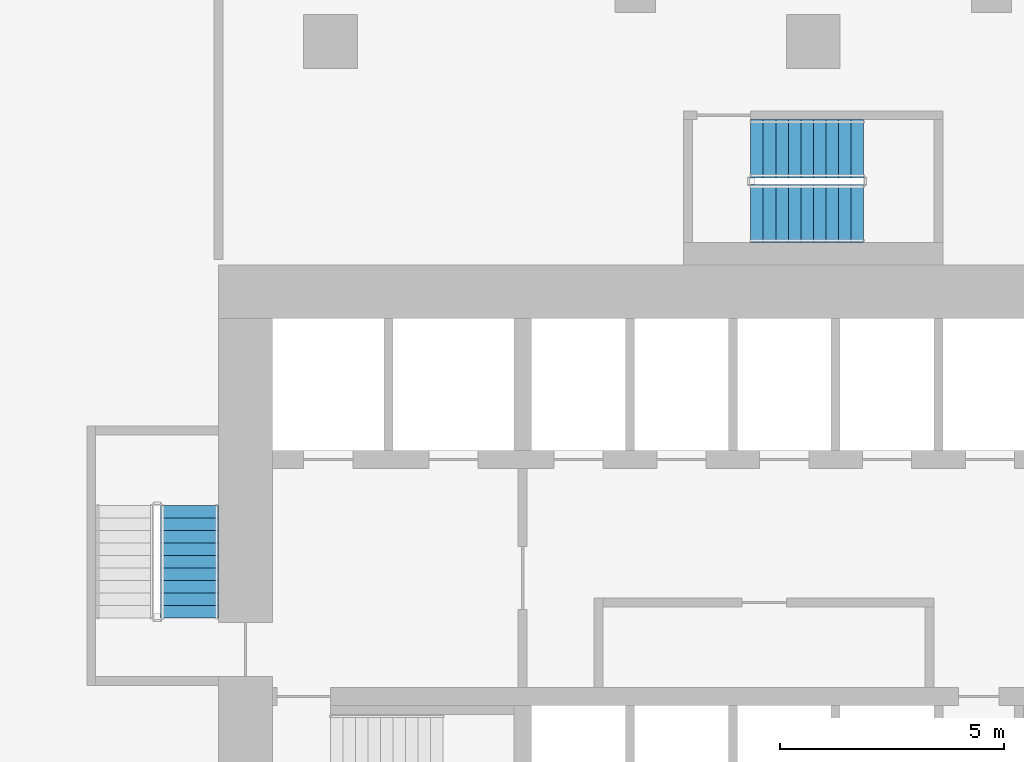
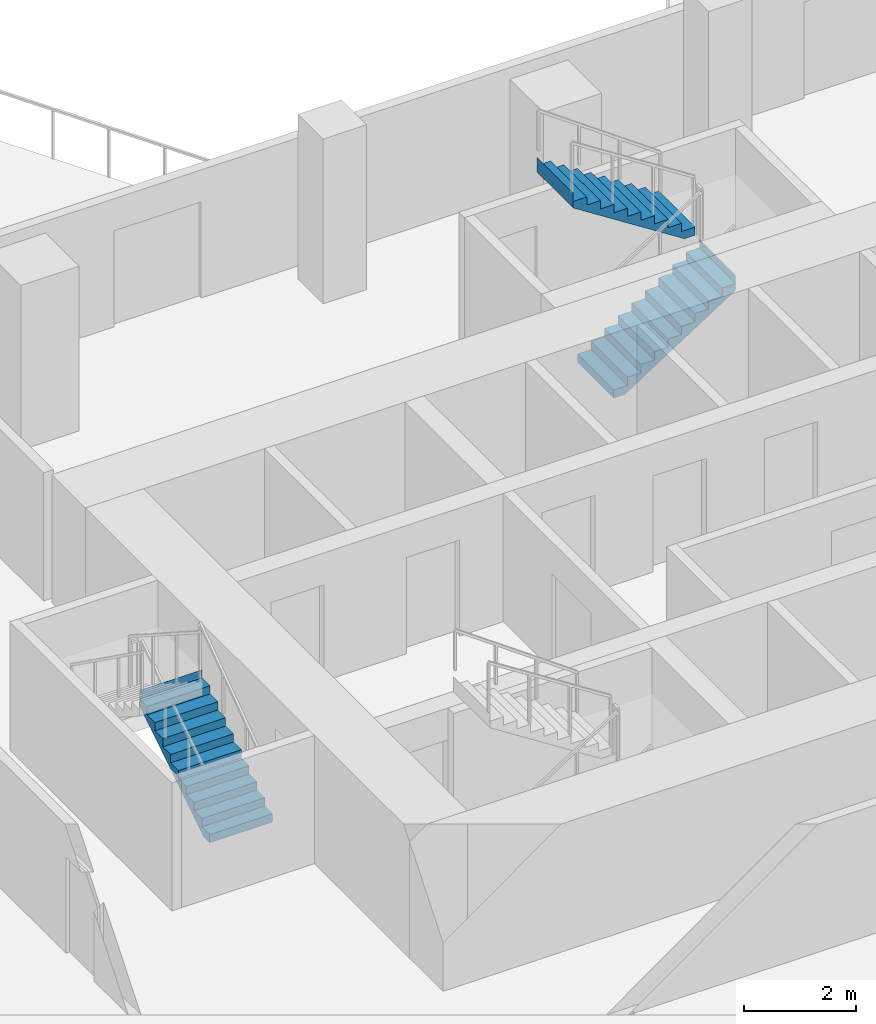
# One storey, part 16 of 21: 3 stair flights, 2 elements without a shape of their own.
"""IFC4 building model written with IfcOpenShell, lengths in metres."""

from ifc_helpers import new_model, si_unit, direction, frame, origin, place, context, subcontext, project, spatial, triangles, material, type_object, element, aggregate, save


model = new_model("IFC4")

# Units and contexts
model_context = context("Model", 3, precision=1e-05, world=origin(), true_north=direction((0.0, 1.0)))
body_context = subcontext(model_context, "Body", "Model", "MODEL_VIEW")
ifc_project = project(units=[si_unit("LENGTHUNIT", "METRE"), si_unit("AREAUNIT", "SQUARE_METRE"), si_unit("VOLUMEUNIT", "CUBIC_METRE"), si_unit("PLANEANGLEUNIT", "RADIAN"), si_unit("MASSUNIT", "GRAM", prefix="KILO")], contexts=[model_context])

# Site, building, storey
site_placement = place(None, origin())
site = spatial("IfcSite", under=ifc_project, at=site_placement, CompositionType="ELEMENT")
building_placement = place(site_placement, origin())
building = spatial("IfcBuilding", under=site, at=building_placement, Name="Beryl Residences", CompositionType="ELEMENT")
storey_placement = place(building_placement, frame((0.0, 0.0, 19.800048828125)))
storey = spatial("IfcBuildingStorey", under=building, at=storey_placement, Name="L05", CompositionType="ELEMENT", Elevation=19.800048828125)

# Stair, stair flight
ifc_material_1 = material(Name="Concrete C40/50", Category="concrete")
stair_type = type_object("IfcStairType", Name="ST1 protected exit stair, half-turn, 1300 mm flights", PredefinedType="HALF_TURN_STAIR", material=ifc_material_1)
stair_1_placement = place(storey_placement, origin())
stair_1 = element("IfcStair", 1, at=stair_1_placement, inside=storey, type_object=stair_type, Name="L05 PROTECTED EXIT STAIR ST-2", PredefinedType="HALF_TURN_STAIR")
ifc_material_2 = material(Name="Concrete C40/50", Category="concrete")
stair_flight_type = type_object("IfcStairFlightType", Name="SF1 stair flight 1300 mm", PredefinedType="STRAIGHT", material=ifc_material_2)
stair_flight_1_placement = place(storey_placement, frame((-13.949951171875, -12.89990234375, 0.0), z_axis=(0.0, 0.0, 1.0), x_axis=(0.0, 1.0, 0.0)))
stair_flight_1 = element("IfcStairFlight", 2, at=stair_flight_1_placement, type_object=stair_flight_type, Name="ST-2 flight 1", NumberOfRisers=10, NumberOfTreads=9, PredefinedType="STRAIGHT", RiserHeight=0.18, TreadLength=0.28, context=body_context, shape_type="Tessellation", body=[
    triangles([(0.0, -0.64990234375, 0.0), (0.0, -0.324951171875, 0.0), (0.0, 0.0, 0.0), (0.0, 0.324951171875, 0.0), (0.0, 0.64990234375, 0.0), (0.0, -0.64990234375, 0.179931640625), (0.0, -0.324951171875, 0.179931640625), (0.0, 0.0, 0.179931640625), (0.0, 0.324951171875, 0.179931640625), (0.0, 0.64990234375, 0.179931640625), (0.280029296875, -0.64990234375, 0.179931640625), (0.280029296875, -0.324951171875, 0.179931640625), (0.280029296875, 0.0, 0.179931640625), (0.280029296875, 0.324951171875, 0.179931640625), (0.280029296875, 0.64990234375, 0.179931640625), (0.280029296875, -0.64990234375, 0.360107421875), (0.280029296875, -0.324951171875, 0.360107421875), (0.280029296875, 0.0, 0.360107421875), (0.280029296875, 0.324951171875, 0.360107421875), (0.280029296875, 0.64990234375, 0.360107421875), (0.56005859375, -0.64990234375, 0.360107421875), (0.56005859375, -0.324951171875, 0.360107421875), (0.56005859375, 0.0, 0.360107421875), (0.56005859375, 0.324951171875, 0.360107421875), (0.56005859375, 0.64990234375, 0.360107421875), (0.56005859375, -0.64990234375, 0.5400390625), (0.56005859375, -0.324951171875, 0.5400390625), (0.56005859375, 0.0, 0.5400390625), (0.56005859375, 0.324951171875, 0.5400390625), (0.56005859375, 0.64990234375, 0.5400390625), (0.840087890625, -0.64990234375, 0.5400390625), (0.840087890625, -0.324951171875, 0.5400390625), (0.840087890625, 0.0, 0.5400390625), (0.840087890625, 0.324951171875, 0.5400390625), (0.840087890625, 0.64990234375, 0.5400390625), (0.840087890625, -0.64990234375, 0.719970703125), (0.840087890625, -0.324951171875, 0.719970703125), (0.840087890625, 0.0, 0.719970703125), (0.840087890625, 0.324951171875, 0.719970703125), (0.840087890625, 0.64990234375, 0.719970703125), (1.1201171875, -0.64990234375, 0.719970703125), (1.1201171875, -0.324951171875, 0.719970703125), (1.1201171875, 0.0, 0.719970703125), (1.1201171875, 0.324951171875, 0.719970703125), (1.1201171875, 0.64990234375, 0.719970703125), (1.1201171875, -0.64990234375, 0.89990234375), (1.1201171875, -0.324951171875, 0.89990234375), (1.1201171875, 0.0, 0.89990234375), (1.1201171875, 0.324951171875, 0.89990234375), (1.1201171875, 0.64990234375, 0.89990234375), (1.39990234375, -0.64990234375, 0.89990234375), (1.39990234375, -0.324951171875, 0.89990234375), (1.39990234375, 0.0, 0.89990234375), (1.39990234375, 0.324951171875, 0.89990234375), (1.39990234375, 0.64990234375, 0.89990234375), (1.39990234375, -0.64990234375, 1.080078125), (1.39990234375, -0.324951171875, 1.080078125), (1.39990234375, 0.0, 1.080078125), (1.39990234375, 0.324951171875, 1.080078125), (1.39990234375, 0.64990234375, 1.080078125), (1.679931640625, -0.64990234375, 1.080078125), (1.679931640625, -0.324951171875, 1.080078125), (1.679931640625, 0.0, 1.080078125), (1.679931640625, 0.324951171875, 1.080078125), (1.679931640625, 0.64990234375, 1.080078125), (1.679931640625, -0.64990234375, 1.260009765625), (1.679931640625, -0.324951171875, 1.260009765625), (1.679931640625, 0.0, 1.260009765625), (1.679931640625, 0.324951171875, 1.260009765625), (1.679931640625, 0.64990234375, 1.260009765625), (1.9599609375, -0.64990234375, 1.260009765625), (1.9599609375, -0.324951171875, 1.260009765625), (1.9599609375, 0.0, 1.260009765625), (1.9599609375, 0.324951171875, 1.260009765625), (1.9599609375, 0.64990234375, 1.260009765625), (1.9599609375, -0.64990234375, 1.43994140625), (1.9599609375, -0.324951171875, 1.43994140625), (1.9599609375, 0.0, 1.43994140625), (1.9599609375, 0.324951171875, 1.43994140625), (1.9599609375, 0.64990234375, 1.43994140625), (2.239990234375, -0.64990234375, 1.43994140625), (2.239990234375, -0.324951171875, 1.43994140625), (2.239990234375, 0.0, 1.43994140625), (2.239990234375, 0.324951171875, 1.43994140625), (2.239990234375, 0.64990234375, 1.43994140625), (2.239990234375, -0.64990234375, 1.6201171875), (2.239990234375, -0.324951171875, 1.6201171875), (2.239990234375, 0.0, 1.6201171875), (2.239990234375, 0.324951171875, 1.6201171875), (2.239990234375, 0.64990234375, 1.6201171875), (2.52001953125, -0.64990234375, 1.6201171875), (2.52001953125, -0.324951171875, 1.6201171875), (2.52001953125, 0.0, 1.6201171875), (2.52001953125, 0.324951171875, 1.6201171875), (2.52001953125, 0.64990234375, 1.6201171875), (2.52001953125, -0.64990234375, 1.800048828125), (2.52001953125, -0.324951171875, 1.800048828125), (2.52001953125, 0.0, 1.800048828125), (2.52001953125, 0.324951171875, 1.800048828125), (2.52001953125, 0.64990234375, 1.800048828125), (2.52099609375, -0.64990234375, 1.800048828125), (2.52099609375, -0.324951171875, 1.800048828125), (2.52099609375, 0.0, 1.800048828125), (2.52099609375, 0.324951171875, 1.800048828125), (2.52099609375, 0.64990234375, 1.800048828125), (2.52099609375, -0.64990234375, 1.477294921875), (2.52099609375, -0.324951171875, 1.477294921875), (2.52099609375, 0.0, 1.477294921875), (2.52099609375, 0.324951171875, 1.477294921875), (2.52099609375, 0.64990234375, 1.477294921875), (0.22314453125, -0.64990234375, 0.0), (0.22314453125, -0.324951171875, 0.0), (0.22314453125, 0.0, 0.0), (0.22314453125, 0.324951171875, 0.0), (0.22314453125, 0.64990234375, 0.0)], [[1, 6, 7], [1, 7, 2], [2, 7, 8], [2, 8, 3], [3, 8, 9], [3, 9, 4], [4, 9, 10], [4, 10, 5], [6, 11, 12], [6, 12, 7], [7, 12, 13], [7, 13, 8], [8, 13, 14], [8, 14, 9], [9, 14, 15], [9, 15, 10], [11, 16, 17], [11, 17, 12], [12, 17, 18], [12, 18, 13], [13, 18, 19], [13, 19, 14], [14, 19, 20], [14, 20, 15], [16, 21, 22], [16, 22, 17], [17, 22, 23], [17, 23, 18], [18, 23, 24], [18, 24, 19], [19, 24, 25], [19, 25, 20], [21, 26, 27], [21, 27, 22], [22, 27, 28], [22, 28, 23], [23, 28, 29], [23, 29, 24], [24, 29, 30], [24, 30, 25], [26, 31, 32], [26, 32, 27], [27, 32, 33], [27, 33, 28], [28, 33, 34], [28, 34, 29], [29, 34, 35], [29, 35, 30], [31, 36, 37], [31, 37, 32], [32, 37, 38], [32, 38, 33], [33, 38, 39], [33, 39, 34], [34, 39, 40], [34, 40, 35], [36, 41, 42], [36, 42, 37], [37, 42, 43], [37, 43, 38], [38, 43, 44], [38, 44, 39], [39, 44, 45], [39, 45, 40], [41, 46, 47], [41, 47, 42], [42, 47, 48], [42, 48, 43], [43, 48, 49], [43, 49, 44], [44, 49, 50], [44, 50, 45], [46, 51, 52], [46, 52, 47], [47, 52, 53], [47, 53, 48], [48, 53, 54], [48, 54, 49], [49, 54, 55], [49, 55, 50], [51, 56, 57], [51, 57, 52], [52, 57, 58], [52, 58, 53], [53, 58, 59], [53, 59, 54], [54, 59, 60], [54, 60, 55], [56, 61, 62], [56, 62, 57], [57, 62, 63], [57, 63, 58], [58, 63, 64], [58, 64, 59], [59, 64, 65], [59, 65, 60], [61, 66, 67], [61, 67, 62], [62, 67, 68], [62, 68, 63], [63, 68, 69], [63, 69, 64], [64, 69, 70], [64, 70, 65], [66, 71, 72], [66, 72, 67], [67, 72, 73], [67, 73, 68], [68, 73, 74], [68, 74, 69], [69, 74, 75], [69, 75, 70], [71, 76, 77], [71, 77, 72], [72, 77, 78], [72, 78, 73], [73, 78, 79], [73, 79, 74], [74, 79, 80], [74, 80, 75], [76, 81, 82], [76, 82, 77], [77, 82, 83], [77, 83, 78], [78, 83, 84], [78, 84, 79], [79, 84, 85], [79, 85, 80], [81, 86, 87], [81, 87, 82], [82, 87, 88], [82, 88, 83], [83, 88, 89], [83, 89, 84], [84, 89, 90], [84, 90, 85], [86, 91, 92], [86, 92, 87], [87, 92, 93], [87, 93, 88], [88, 93, 94], [88, 94, 89], [89, 94, 95], [89, 95, 90], [91, 96, 97], [91, 97, 92], [92, 97, 98], [92, 98, 93], [93, 98, 99], [93, 99, 94], [94, 99, 100], [94, 100, 95], [96, 101, 102], [96, 102, 97], [97, 102, 103], [97, 103, 98], [98, 103, 104], [98, 104, 99], [99, 104, 105], [99, 105, 100], [101, 106, 107], [101, 107, 102], [102, 107, 108], [102, 108, 103], [103, 108, 109], [103, 109, 104], [104, 109, 110], [104, 110, 105], [106, 111, 112], [106, 112, 107], [107, 112, 113], [107, 113, 108], [108, 113, 114], [108, 114, 109], [109, 114, 115], [109, 115, 110], [111, 1, 2], [111, 2, 112], [112, 2, 3], [112, 3, 113], [113, 3, 4], [113, 4, 114], [114, 4, 5], [114, 5, 115], [1, 111, 106], [5, 110, 115], [106, 101, 96], [110, 100, 105], [106, 96, 91], [110, 95, 100], [106, 91, 86], [110, 90, 95], [106, 86, 81], [110, 85, 90], [81, 76, 71], [85, 75, 80], [106, 81, 71], [110, 75, 85], [71, 66, 61], [75, 65, 70], [106, 71, 61], [110, 65, 75], [61, 56, 51], [65, 55, 60], [106, 61, 51], [110, 55, 65], [51, 46, 41], [55, 45, 50], [106, 51, 41], [110, 45, 55], [41, 36, 31], [45, 35, 40], [106, 41, 31], [110, 35, 45], [31, 26, 21], [35, 25, 30], [106, 31, 21], [110, 25, 35], [21, 16, 11], [25, 15, 20], [106, 21, 11], [110, 15, 25], [1, 106, 11], [5, 15, 110], [11, 6, 1], [15, 5, 10]], closed=True),
])
aggregate(stair_1, [stair_flight_1])

# Stair, stair flights
stair_2_placement = place(storey_placement, origin())
stair_2 = element("IfcStair", 3, at=stair_2_placement, inside=storey, type_object=stair_type, Name="L05 PROTECTED EXIT STAIR ST-4", PredefinedType="HALF_TURN_STAIR")
stair_flight_2_placement = place(storey_placement, frame((-1.39990234375, -3.85009765625, 0.0), z_axis=(0.0, 0.0, 1.0), x_axis=(1.0, 0.0, 0.0)))
stair_flight_2 = element("IfcStairFlight", 4, at=stair_flight_2_placement, type_object=stair_flight_type, Name="ST-4 flight 1", NumberOfRisers=10, NumberOfTreads=9, PredefinedType="STRAIGHT", RiserHeight=0.18, TreadLength=0.28, context=body_context, shape_type="Tessellation", body=[
    triangles([(0.0, -0.64990234375, 0.0), (0.0, -0.324951171875, 0.0), (0.0, 0.0, 0.0), (0.0, 0.324951171875, 0.0), (0.0, 0.64990234375, 0.0), (0.0, -0.64990234375, 0.179931640625), (0.0, -0.324951171875, 0.179931640625), (0.0, 0.0, 0.179931640625), (0.0, 0.324951171875, 0.179931640625), (0.0, 0.64990234375, 0.179931640625), (0.280029296875, -0.64990234375, 0.179931640625), (0.280029296875, -0.324951171875, 0.179931640625), (0.280029296875, 0.0, 0.179931640625), (0.280029296875, 0.324951171875, 0.179931640625), (0.280029296875, 0.64990234375, 0.179931640625), (0.280029296875, -0.64990234375, 0.360107421875), (0.280029296875, -0.324951171875, 0.360107421875), (0.280029296875, 0.0, 0.360107421875), (0.280029296875, 0.324951171875, 0.360107421875), (0.280029296875, 0.64990234375, 0.360107421875), (0.56005859375, -0.64990234375, 0.360107421875), (0.56005859375, -0.324951171875, 0.360107421875), (0.56005859375, 0.0, 0.360107421875), (0.56005859375, 0.324951171875, 0.360107421875), (0.56005859375, 0.64990234375, 0.360107421875), (0.56005859375, -0.64990234375, 0.5400390625), (0.56005859375, -0.324951171875, 0.5400390625), (0.56005859375, 0.0, 0.5400390625), (0.56005859375, 0.324951171875, 0.5400390625), (0.56005859375, 0.64990234375, 0.5400390625), (0.840087890625, -0.64990234375, 0.5400390625), (0.840087890625, -0.324951171875, 0.5400390625), (0.840087890625, 0.0, 0.5400390625), (0.840087890625, 0.324951171875, 0.5400390625), (0.840087890625, 0.64990234375, 0.5400390625), (0.840087890625, -0.64990234375, 0.719970703125), (0.840087890625, -0.324951171875, 0.719970703125), (0.840087890625, 0.0, 0.719970703125), (0.840087890625, 0.324951171875, 0.719970703125), (0.840087890625, 0.64990234375, 0.719970703125), (1.1201171875, -0.64990234375, 0.719970703125), (1.1201171875, -0.324951171875, 0.719970703125), (1.1201171875, 0.0, 0.719970703125), (1.1201171875, 0.324951171875, 0.719970703125), (1.1201171875, 0.64990234375, 0.719970703125), (1.1201171875, -0.64990234375, 0.89990234375), (1.1201171875, -0.324951171875, 0.89990234375), (1.1201171875, 0.0, 0.89990234375), (1.1201171875, 0.324951171875, 0.89990234375), (1.1201171875, 0.64990234375, 0.89990234375), (1.39990234375, -0.64990234375, 0.89990234375), (1.39990234375, -0.324951171875, 0.89990234375), (1.39990234375, 0.0, 0.89990234375), (1.39990234375, 0.324951171875, 0.89990234375), (1.39990234375, 0.64990234375, 0.89990234375), (1.39990234375, -0.64990234375, 1.080078125), (1.39990234375, -0.324951171875, 1.080078125), (1.39990234375, 0.0, 1.080078125), (1.39990234375, 0.324951171875, 1.080078125), (1.39990234375, 0.64990234375, 1.080078125), (1.679931640625, -0.64990234375, 1.080078125), (1.679931640625, -0.324951171875, 1.080078125), (1.679931640625, 0.0, 1.080078125), (1.679931640625, 0.324951171875, 1.080078125), (1.679931640625, 0.64990234375, 1.080078125), (1.679931640625, -0.64990234375, 1.260009765625), (1.679931640625, -0.324951171875, 1.260009765625), (1.679931640625, 0.0, 1.260009765625), (1.679931640625, 0.324951171875, 1.260009765625), (1.679931640625, 0.64990234375, 1.260009765625), (1.9599609375, -0.64990234375, 1.260009765625), (1.9599609375, -0.324951171875, 1.260009765625), (1.9599609375, 0.0, 1.260009765625), (1.9599609375, 0.324951171875, 1.260009765625), (1.9599609375, 0.64990234375, 1.260009765625), (1.9599609375, -0.64990234375, 1.43994140625), (1.9599609375, -0.324951171875, 1.43994140625), (1.9599609375, 0.0, 1.43994140625), (1.9599609375, 0.324951171875, 1.43994140625), (1.9599609375, 0.64990234375, 1.43994140625), (2.239990234375, -0.64990234375, 1.43994140625), (2.239990234375, -0.324951171875, 1.43994140625), (2.239990234375, 0.0, 1.43994140625), (2.239990234375, 0.324951171875, 1.43994140625), (2.239990234375, 0.64990234375, 1.43994140625), (2.239990234375, -0.64990234375, 1.6201171875), (2.239990234375, -0.324951171875, 1.6201171875), (2.239990234375, 0.0, 1.6201171875), (2.239990234375, 0.324951171875, 1.6201171875), (2.239990234375, 0.64990234375, 1.6201171875), (2.52001953125, -0.64990234375, 1.6201171875), (2.52001953125, -0.324951171875, 1.6201171875), (2.52001953125, 0.0, 1.6201171875), (2.52001953125, 0.324951171875, 1.6201171875), (2.52001953125, 0.64990234375, 1.6201171875), (2.52001953125, -0.64990234375, 1.800048828125), (2.52001953125, -0.324951171875, 1.800048828125), (2.52001953125, 0.0, 1.800048828125), (2.52001953125, 0.324951171875, 1.800048828125), (2.52001953125, 0.64990234375, 1.800048828125), (2.52099609375, -0.64990234375, 1.800048828125), (2.52099609375, -0.324951171875, 1.800048828125), (2.52099609375, 0.0, 1.800048828125), (2.52099609375, 0.324951171875, 1.800048828125), (2.52099609375, 0.64990234375, 1.800048828125), (2.52099609375, -0.64990234375, 1.477294921875), (2.52099609375, -0.324951171875, 1.477294921875), (2.52099609375, 0.0, 1.477294921875), (2.52099609375, 0.324951171875, 1.477294921875), (2.52099609375, 0.64990234375, 1.477294921875), (0.22314453125, -0.64990234375, 0.0), (0.22314453125, -0.324951171875, 0.0), (0.22314453125, 0.0, 0.0), (0.22314453125, 0.324951171875, 0.0), (0.22314453125, 0.64990234375, 0.0)], [[1, 6, 7], [1, 7, 2], [2, 7, 8], [2, 8, 3], [3, 8, 9], [3, 9, 4], [4, 9, 10], [4, 10, 5], [6, 11, 12], [6, 12, 7], [7, 12, 13], [7, 13, 8], [8, 13, 14], [8, 14, 9], [9, 14, 15], [9, 15, 10], [11, 16, 17], [11, 17, 12], [12, 17, 18], [12, 18, 13], [13, 18, 19], [13, 19, 14], [14, 19, 20], [14, 20, 15], [16, 21, 22], [16, 22, 17], [17, 22, 23], [17, 23, 18], [18, 23, 24], [18, 24, 19], [19, 24, 25], [19, 25, 20], [21, 26, 27], [21, 27, 22], [22, 27, 28], [22, 28, 23], [23, 28, 29], [23, 29, 24], [24, 29, 30], [24, 30, 25], [26, 31, 32], [26, 32, 27], [27, 32, 33], [27, 33, 28], [28, 33, 34], [28, 34, 29], [29, 34, 35], [29, 35, 30], [31, 36, 37], [31, 37, 32], [32, 37, 38], [32, 38, 33], [33, 38, 39], [33, 39, 34], [34, 39, 40], [34, 40, 35], [36, 41, 42], [36, 42, 37], [37, 42, 43], [37, 43, 38], [38, 43, 44], [38, 44, 39], [39, 44, 45], [39, 45, 40], [41, 46, 47], [41, 47, 42], [42, 47, 48], [42, 48, 43], [43, 48, 49], [43, 49, 44], [44, 49, 50], [44, 50, 45], [46, 51, 52], [46, 52, 47], [47, 52, 53], [47, 53, 48], [48, 53, 54], [48, 54, 49], [49, 54, 55], [49, 55, 50], [51, 56, 57], [51, 57, 52], [52, 57, 58], [52, 58, 53], [53, 58, 59], [53, 59, 54], [54, 59, 60], [54, 60, 55], [56, 61, 62], [56, 62, 57], [57, 62, 63], [57, 63, 58], [58, 63, 64], [58, 64, 59], [59, 64, 65], [59, 65, 60], [61, 66, 67], [61, 67, 62], [62, 67, 68], [62, 68, 63], [63, 68, 69], [63, 69, 64], [64, 69, 70], [64, 70, 65], [66, 71, 72], [66, 72, 67], [67, 72, 73], [67, 73, 68], [68, 73, 74], [68, 74, 69], [69, 74, 75], [69, 75, 70], [71, 76, 77], [71, 77, 72], [72, 77, 78], [72, 78, 73], [73, 78, 79], [73, 79, 74], [74, 79, 80], [74, 80, 75], [76, 81, 82], [76, 82, 77], [77, 82, 83], [77, 83, 78], [78, 83, 84], [78, 84, 79], [79, 84, 85], [79, 85, 80], [81, 86, 87], [81, 87, 82], [82, 87, 88], [82, 88, 83], [83, 88, 89], [83, 89, 84], [84, 89, 90], [84, 90, 85], [86, 91, 92], [86, 92, 87], [87, 92, 93], [87, 93, 88], [88, 93, 94], [88, 94, 89], [89, 94, 95], [89, 95, 90], [91, 96, 97], [91, 97, 92], [92, 97, 98], [92, 98, 93], [93, 98, 99], [93, 99, 94], [94, 99, 100], [94, 100, 95], [96, 101, 102], [96, 102, 97], [97, 102, 103], [97, 103, 98], [98, 103, 104], [98, 104, 99], [99, 104, 105], [99, 105, 100], [101, 106, 107], [101, 107, 102], [102, 107, 108], [102, 108, 103], [103, 108, 109], [103, 109, 104], [104, 109, 110], [104, 110, 105], [106, 111, 112], [106, 112, 107], [107, 112, 113], [107, 113, 108], [108, 113, 114], [108, 114, 109], [109, 114, 115], [109, 115, 110], [111, 1, 2], [111, 2, 112], [112, 2, 3], [112, 3, 113], [113, 3, 4], [113, 4, 114], [114, 4, 5], [114, 5, 115], [1, 111, 106], [5, 110, 115], [106, 101, 96], [110, 100, 105], [106, 96, 91], [110, 95, 100], [106, 91, 86], [110, 90, 95], [106, 86, 81], [110, 85, 90], [81, 76, 71], [85, 75, 80], [106, 81, 71], [110, 75, 85], [71, 66, 61], [75, 65, 70], [106, 71, 61], [110, 65, 75], [61, 56, 51], [65, 55, 60], [106, 61, 51], [110, 55, 65], [51, 46, 41], [55, 45, 50], [106, 51, 41], [110, 45, 55], [41, 36, 31], [45, 35, 40], [106, 41, 31], [110, 35, 45], [31, 26, 21], [35, 25, 30], [106, 31, 21], [110, 25, 35], [21, 16, 11], [25, 15, 20], [106, 21, 11], [110, 15, 25], [1, 106, 11], [5, 15, 110], [11, 6, 1], [15, 5, 10]], closed=True),
])
stair_flight_3_placement = place(storey_placement, frame((1.1201171875, -2.39990234375, 1.800048828125), z_axis=(0.0, 0.0, 1.0), x_axis=(-1.0, 0.0, 0.0)))
stair_flight_3 = element("IfcStairFlight", 5, at=stair_flight_3_placement, type_object=stair_flight_type, Name="ST-4 flight 2", NumberOfRisers=10, NumberOfTreads=9, PredefinedType="STRAIGHT", RiserHeight=0.18, TreadLength=0.28, context=body_context, shape_type="Tessellation", body=[
    triangles([(0.0, -0.64990234375, 0.0), (0.0, -0.324951171875, 0.0), (0.0, 0.0, 0.0), (0.0, 0.324951171875, 0.0), (0.0, 0.64990234375, 0.0), (0.0, -0.64990234375, 0.179931640625), (0.0, -0.324951171875, 0.179931640625), (0.0, 0.0, 0.179931640625), (0.0, 0.324951171875, 0.179931640625), (0.0, 0.64990234375, 0.179931640625), (0.280029296875, -0.64990234375, 0.179931640625), (0.280029296875, -0.324951171875, 0.179931640625), (0.280029296875, 0.0, 0.179931640625), (0.280029296875, 0.324951171875, 0.179931640625), (0.280029296875, 0.64990234375, 0.179931640625), (0.280029296875, -0.64990234375, 0.360107421875), (0.280029296875, -0.324951171875, 0.360107421875), (0.280029296875, 0.0, 0.360107421875), (0.280029296875, 0.324951171875, 0.360107421875), (0.280029296875, 0.64990234375, 0.360107421875), (0.56005859375, -0.64990234375, 0.360107421875), (0.56005859375, -0.324951171875, 0.360107421875), (0.56005859375, 0.0, 0.360107421875), (0.56005859375, 0.324951171875, 0.360107421875), (0.56005859375, 0.64990234375, 0.360107421875), (0.56005859375, -0.64990234375, 0.5400390625), (0.56005859375, -0.324951171875, 0.5400390625), (0.56005859375, 0.0, 0.5400390625), (0.56005859375, 0.324951171875, 0.5400390625), (0.56005859375, 0.64990234375, 0.5400390625), (0.840087890625, -0.64990234375, 0.5400390625), (0.840087890625, -0.324951171875, 0.5400390625), (0.840087890625, 0.0, 0.5400390625), (0.840087890625, 0.324951171875, 0.5400390625), (0.840087890625, 0.64990234375, 0.5400390625), (0.840087890625, -0.64990234375, 0.719970703125), (0.840087890625, -0.324951171875, 0.719970703125), (0.840087890625, 0.0, 0.719970703125), (0.840087890625, 0.324951171875, 0.719970703125), (0.840087890625, 0.64990234375, 0.719970703125), (1.1201171875, -0.64990234375, 0.719970703125), (1.1201171875, -0.324951171875, 0.719970703125), (1.1201171875, 0.0, 0.719970703125), (1.1201171875, 0.324951171875, 0.719970703125), (1.1201171875, 0.64990234375, 0.719970703125), (1.1201171875, -0.64990234375, 0.89990234375), (1.1201171875, -0.324951171875, 0.89990234375), (1.1201171875, 0.0, 0.89990234375), (1.1201171875, 0.324951171875, 0.89990234375), (1.1201171875, 0.64990234375, 0.89990234375), (1.39990234375, -0.64990234375, 0.89990234375), (1.39990234375, -0.324951171875, 0.89990234375), (1.39990234375, 0.0, 0.89990234375), (1.39990234375, 0.324951171875, 0.89990234375), (1.39990234375, 0.64990234375, 0.89990234375), (1.39990234375, -0.64990234375, 1.080078125), (1.39990234375, -0.324951171875, 1.080078125), (1.39990234375, 0.0, 1.080078125), (1.39990234375, 0.324951171875, 1.080078125), (1.39990234375, 0.64990234375, 1.080078125), (1.679931640625, -0.64990234375, 1.080078125), (1.679931640625, -0.324951171875, 1.080078125), (1.679931640625, 0.0, 1.080078125), (1.679931640625, 0.324951171875, 1.080078125), (1.679931640625, 0.64990234375, 1.080078125), (1.679931640625, -0.64990234375, 1.260009765625), (1.679931640625, -0.324951171875, 1.260009765625), (1.679931640625, 0.0, 1.260009765625), (1.679931640625, 0.324951171875, 1.260009765625), (1.679931640625, 0.64990234375, 1.260009765625), (1.9599609375, -0.64990234375, 1.260009765625), (1.9599609375, -0.324951171875, 1.260009765625), (1.9599609375, 0.0, 1.260009765625), (1.9599609375, 0.324951171875, 1.260009765625), (1.9599609375, 0.64990234375, 1.260009765625), (1.9599609375, -0.64990234375, 1.43994140625), (1.9599609375, -0.324951171875, 1.43994140625), (1.9599609375, 0.0, 1.43994140625), (1.9599609375, 0.324951171875, 1.43994140625), (1.9599609375, 0.64990234375, 1.43994140625), (2.239990234375, -0.64990234375, 1.43994140625), (2.239990234375, -0.324951171875, 1.43994140625), (2.239990234375, 0.0, 1.43994140625), (2.239990234375, 0.324951171875, 1.43994140625), (2.239990234375, 0.64990234375, 1.43994140625), (2.239990234375, -0.64990234375, 1.6201171875), (2.239990234375, -0.324951171875, 1.6201171875), (2.239990234375, 0.0, 1.6201171875), (2.239990234375, 0.324951171875, 1.6201171875), (2.239990234375, 0.64990234375, 1.6201171875), (2.52001953125, -0.64990234375, 1.6201171875), (2.52001953125, -0.324951171875, 1.6201171875), (2.52001953125, 0.0, 1.6201171875), (2.52001953125, 0.324951171875, 1.6201171875), (2.52001953125, 0.64990234375, 1.6201171875), (2.52001953125, -0.64990234375, 1.800048828125), (2.52001953125, -0.324951171875, 1.800048828125), (2.52001953125, 0.0, 1.800048828125), (2.52001953125, 0.324951171875, 1.800048828125), (2.52001953125, 0.64990234375, 1.800048828125), (2.52099609375, -0.64990234375, 1.800048828125), (2.52099609375, -0.324951171875, 1.800048828125), (2.52099609375, 0.0, 1.800048828125), (2.52099609375, 0.324951171875, 1.800048828125), (2.52099609375, 0.64990234375, 1.800048828125), (2.52099609375, -0.64990234375, 1.477294921875), (2.52099609375, -0.324951171875, 1.477294921875), (2.52099609375, 0.0, 1.477294921875), (2.52099609375, 0.324951171875, 1.477294921875), (2.52099609375, 0.64990234375, 1.477294921875), (0.22314453125, -0.64990234375, 0.0), (0.22314453125, -0.324951171875, 0.0), (0.22314453125, 0.0, 0.0), (0.22314453125, 0.324951171875, 0.0), (0.22314453125, 0.64990234375, 0.0)], [[1, 6, 7], [1, 7, 2], [2, 7, 8], [2, 8, 3], [3, 8, 9], [3, 9, 4], [4, 9, 10], [4, 10, 5], [6, 11, 12], [6, 12, 7], [7, 12, 13], [7, 13, 8], [8, 13, 14], [8, 14, 9], [9, 14, 15], [9, 15, 10], [11, 16, 17], [11, 17, 12], [12, 17, 18], [12, 18, 13], [13, 18, 19], [13, 19, 14], [14, 19, 20], [14, 20, 15], [16, 21, 22], [16, 22, 17], [17, 22, 23], [17, 23, 18], [18, 23, 24], [18, 24, 19], [19, 24, 25], [19, 25, 20], [21, 26, 27], [21, 27, 22], [22, 27, 28], [22, 28, 23], [23, 28, 29], [23, 29, 24], [24, 29, 30], [24, 30, 25], [26, 31, 32], [26, 32, 27], [27, 32, 33], [27, 33, 28], [28, 33, 34], [28, 34, 29], [29, 34, 35], [29, 35, 30], [31, 36, 37], [31, 37, 32], [32, 37, 38], [32, 38, 33], [33, 38, 39], [33, 39, 34], [34, 39, 40], [34, 40, 35], [36, 41, 42], [36, 42, 37], [37, 42, 43], [37, 43, 38], [38, 43, 44], [38, 44, 39], [39, 44, 45], [39, 45, 40], [41, 46, 47], [41, 47, 42], [42, 47, 48], [42, 48, 43], [43, 48, 49], [43, 49, 44], [44, 49, 50], [44, 50, 45], [46, 51, 52], [46, 52, 47], [47, 52, 53], [47, 53, 48], [48, 53, 54], [48, 54, 49], [49, 54, 55], [49, 55, 50], [51, 56, 57], [51, 57, 52], [52, 57, 58], [52, 58, 53], [53, 58, 59], [53, 59, 54], [54, 59, 60], [54, 60, 55], [56, 61, 62], [56, 62, 57], [57, 62, 63], [57, 63, 58], [58, 63, 64], [58, 64, 59], [59, 64, 65], [59, 65, 60], [61, 66, 67], [61, 67, 62], [62, 67, 68], [62, 68, 63], [63, 68, 69], [63, 69, 64], [64, 69, 70], [64, 70, 65], [66, 71, 72], [66, 72, 67], [67, 72, 73], [67, 73, 68], [68, 73, 74], [68, 74, 69], [69, 74, 75], [69, 75, 70], [71, 76, 77], [71, 77, 72], [72, 77, 78], [72, 78, 73], [73, 78, 79], [73, 79, 74], [74, 79, 80], [74, 80, 75], [76, 81, 82], [76, 82, 77], [77, 82, 83], [77, 83, 78], [78, 83, 84], [78, 84, 79], [79, 84, 85], [79, 85, 80], [81, 86, 87], [81, 87, 82], [82, 87, 88], [82, 88, 83], [83, 88, 89], [83, 89, 84], [84, 89, 90], [84, 90, 85], [86, 91, 92], [86, 92, 87], [87, 92, 93], [87, 93, 88], [88, 93, 94], [88, 94, 89], [89, 94, 95], [89, 95, 90], [91, 96, 97], [91, 97, 92], [92, 97, 98], [92, 98, 93], [93, 98, 99], [93, 99, 94], [94, 99, 100], [94, 100, 95], [96, 101, 102], [96, 102, 97], [97, 102, 103], [97, 103, 98], [98, 103, 104], [98, 104, 99], [99, 104, 105], [99, 105, 100], [101, 106, 107], [101, 107, 102], [102, 107, 108], [102, 108, 103], [103, 108, 109], [103, 109, 104], [104, 109, 110], [104, 110, 105], [106, 111, 112], [106, 112, 107], [107, 112, 113], [107, 113, 108], [108, 113, 114], [108, 114, 109], [109, 114, 115], [109, 115, 110], [111, 1, 2], [111, 2, 112], [112, 2, 3], [112, 3, 113], [113, 3, 4], [113, 4, 114], [114, 4, 5], [114, 5, 115], [1, 111, 106], [5, 110, 115], [106, 101, 96], [110, 100, 105], [106, 96, 91], [110, 95, 100], [106, 91, 86], [110, 90, 95], [106, 86, 81], [110, 85, 90], [81, 76, 71], [85, 75, 80], [106, 81, 71], [110, 75, 85], [71, 66, 61], [75, 65, 70], [106, 71, 61], [110, 65, 75], [61, 56, 51], [65, 55, 60], [106, 61, 51], [110, 55, 65], [51, 46, 41], [55, 45, 50], [106, 51, 41], [110, 45, 55], [41, 36, 31], [45, 35, 40], [106, 41, 31], [110, 35, 45], [31, 26, 21], [35, 25, 30], [106, 31, 21], [110, 25, 35], [21, 16, 11], [25, 15, 20], [106, 21, 11], [110, 15, 25], [1, 106, 11], [5, 15, 110], [11, 6, 1], [15, 5, 10]], closed=True),
])
aggregate(stair_2, [stair_flight_2, stair_flight_3])

save(model, "model.ifc")
